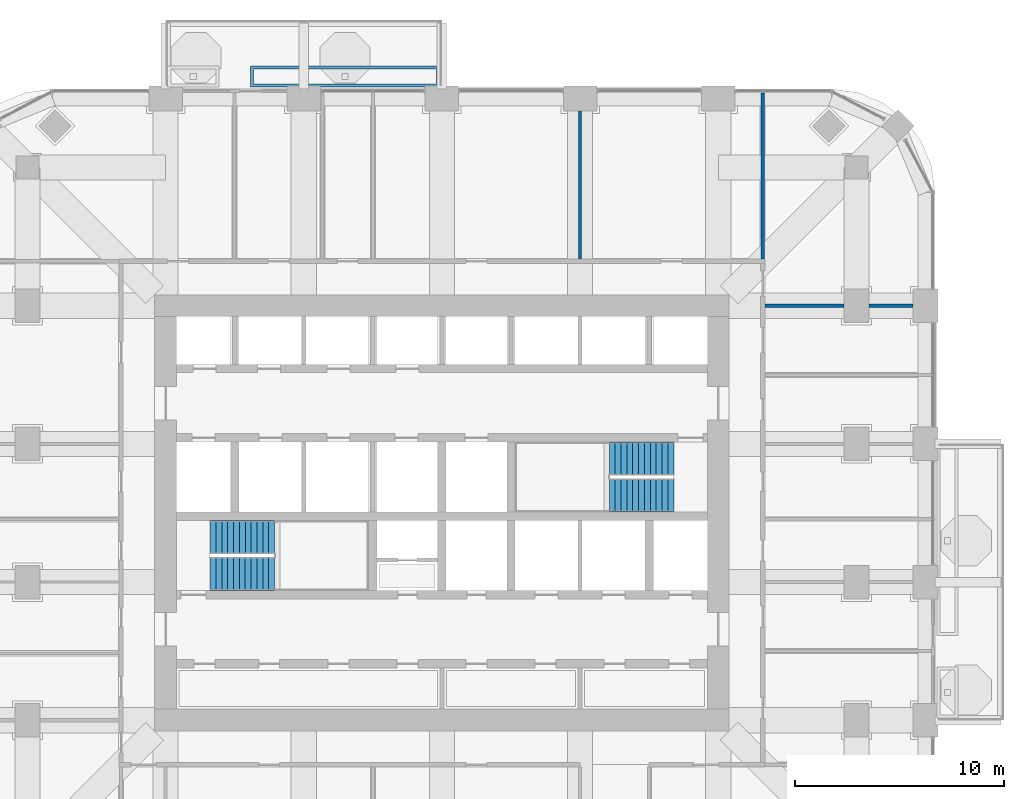
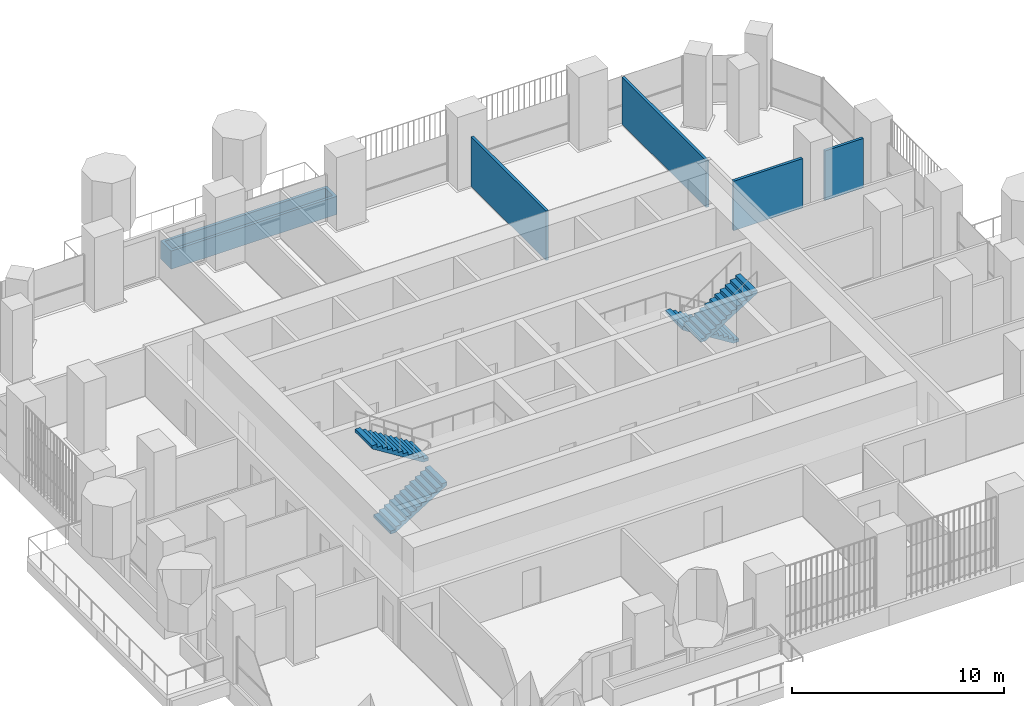
# One storey, part 15 of 20: 5 walls, 4 stair flights, 2 elements without a shape of their own.
"""IFC4 building model written with IfcOpenShell, lengths in metres."""

from ifc_helpers import new_model, si_unit, direction, frame, frame_2d, origin, place, context, subcontext, project, spatial, polyline, rectangle, outline, extrude, material, layer, layer_set, type_object, element, aggregate, save


model = new_model("IFC4")

# Units and contexts
model_context = context("Model", 3, precision=1e-05, world=origin(), true_north=direction((0.0, 1.0)))
body_context = subcontext(model_context, "Body", "Model", "MODEL_VIEW")
ifc_project = project(units=[si_unit("LENGTHUNIT", "METRE"), si_unit("AREAUNIT", "SQUARE_METRE"), si_unit("VOLUMEUNIT", "CUBIC_METRE"), si_unit("PLANEANGLEUNIT", "RADIAN"), si_unit("MASSUNIT", "GRAM", prefix="KILO")], contexts=[model_context])

# Site, building, storey
site_placement = place(None, origin())
site = spatial("IfcSite", under=ifc_project, at=site_placement, CompositionType="ELEMENT")
building_placement = place(site_placement, origin())
building = spatial("IfcBuilding", under=site, at=building_placement, Name="Cobogo Forest Laboratory Tower", CompositionType="ELEMENT")
storey_placement = place(building_placement, frame((0.0, 0.0, 176.699951171875)))
storey = spatial("IfcBuildingStorey", under=building, at=storey_placement, Name="L40", CompositionType="ELEMENT", Elevation=176.699951171875)

# Walls
ifc_material_1 = material(Name="Gypsum board on steel studs", Category="steel")
ifc_layer_1 = layer(ifc_material_1, 0.14990234375)
ifc_layer_set_1 = layer_set([ifc_layer_1], Name="PT1 laboratory partition 150")
wall_type_1 = type_object("IfcWallType", Name="PT1 laboratory partition 150", PredefinedType="PARTITIONING", material=ifc_layer_set_1)
wall_1_placement = place(storey_placement, frame((41.72509765625, 43.169921875, 0.0), z_axis=(0.0, 0.0, 1.0), x_axis=(0.0, -1.0, 0.0)))
element("IfcWall", 1, at=wall_1_placement, inside=storey, type_object=wall_type_1, Name="Partition PW-NE L40", PredefinedType="PARTITIONING", context=body_context, shape_type="SweptSolid", body=[
    extrude(rectangle(XDim=7.94482421875, YDim=0.14990234375, at=frame_2d((3.972412109375, 0.0))), origin(), (0.0, 0.0, 1.0), 2.699951171875),
])
wall_2_placement = place(storey_placement, frame((48.89990234375, 33.0, 0.0), z_axis=(0.0, 0.0, 1.0), x_axis=(-1.0, 0.0, 0.0)))
element("IfcWall", 2, at=wall_2_placement, inside=storey, type_object=wall_type_1, Name="Partition CUT-E33-1 L40", PredefinedType="PARTITIONING", context=body_context, shape_type="SweptSolid", body=[
    extrude(rectangle(XDim=2.099853515625, YDim=0.14990234375, at=frame_2d((1.0498046875, 0.0))), origin(), (0.0, 0.0, 1.0), 2.85009765625),
])
wall_3_placement = place(storey_placement, frame((45.60009765625, 33.0, 0.0), z_axis=(0.0, 0.0, 1.0), x_axis=(-1.0, 0.0, 0.0)))
element("IfcWall", 3, at=wall_3_placement, inside=storey, type_object=wall_type_1, Name="Partition CUT-E33-2 L40", PredefinedType="PARTITIONING", context=body_context, shape_type="SweptSolid", body=[
    extrude(rectangle(XDim=3.775146484375, YDim=0.14990234375, at=frame_2d((1.8876953125, 0.0))), origin(), (0.0, 0.0, 1.0), 2.85009765625),
])
wall_4_placement = place(storey_placement, frame((33.0, 42.300048828125, 0.0), z_axis=(0.0, 0.0, 1.0), x_axis=(0.0, -1.0, 0.0)))
element("IfcWall", 4, at=wall_4_placement, inside=storey, type_object=wall_type_1, Name="Partition CUT-N33-1 L40", PredefinedType="PARTITIONING", context=body_context, shape_type="SweptSolid", body=[
    extrude(rectangle(XDim=7.074951171875, YDim=0.14990234375, at=frame_2d((3.53759765625, 0.0))), origin(), (0.0, 0.0, 1.0), 2.85009765625),
])
ifc_material_2 = material(Name="Concrete HA-40 (C40/50)", Category="concrete")
ifc_layer_2 = layer(ifc_material_2, 0.14990234375)
ifc_layer_set_2 = layer_set([ifc_layer_2], Name="Planter box 1000x1050")
wall_type_2 = type_object("IfcWallType", Name="Planter box 1000x1050", PredefinedType="USERDEFINED", material=ifc_layer_set_2)
wall_5_placement = place(storey_placement, origin())
element("IfcWall", 5, at=wall_5_placement, inside=storey, type_object=wall_type_2, Name="Planter BAL-N1-2 L40", ObjectType="PLANTER", PredefinedType="USERDEFINED", context=body_context, shape_type="SweptSolid", body=[
    extrude(outline(polyline([(17.25, 43.449951171875), (26.300048828125, 43.449951171875), (26.300048828125, 44.449951171875), (17.25, 44.449951171875), (17.25, 43.449951171875)]), holes=[polyline([(17.39990234375, 43.60009765625), (26.14990234375, 43.60009765625), (26.14990234375, 44.300048828125), (17.39990234375, 44.300048828125), (17.39990234375, 43.60009765625)])]), origin(), (0.0, 0.0, 1.0), 1.050048828125),
])

# Stair, stair flights
ifc_material_3 = material(Name="Precast concrete HA-40 (C40/50)", Category="concrete")
stair_type = type_object("IfcStairType", Name="ST24 exit stair 24 risers", PredefinedType="HALF_TURN_STAIR", material=ifc_material_3)
stair_1_placement = place(storey_placement, origin())
stair_1 = element("IfcStair", 6, at=stair_1_placement, inside=storey, type_object=stair_type, Name="Stair 1 L40 to L41", PredefinedType="HALF_TURN_STAIR")
stair_flight_type = type_object("IfcStairFlightType", Name="ST stair flight 280 going", PredefinedType="STRAIGHT", material=ifc_material_3)
stair_flight_1_placement = place(storey_placement, frame((15.324951171875, 20.199951171875, 0.0), z_axis=(0.0, 0.0, 1.0), x_axis=(1.0, 0.0, 0.0)))
stair_flight_1 = element("IfcStairFlight", 7, at=stair_flight_1_placement, type_object=stair_flight_type, Name="ST1 flight 1", NumberOfRisers=12, NumberOfTreads=11, PredefinedType="STRAIGHT", RiserHeight=0.175, TreadLength=0.28, context=body_context, shape_type="SweptSolid", body=[
    extrude(outline(polyline([(0.0, 0.0), (0.0, 0.175048828125), (0.280029296875, 0.175048828125), (0.280029296875, 0.35009765625), (0.56005859375, 0.35009765625), (0.56005859375, 0.52490234375), (0.840087890625, 0.52490234375), (0.840087890625, 0.699951171875), (1.1201171875, 0.699951171875), (1.1201171875, 0.875), (1.39990234375, 0.875), (1.39990234375, 1.050048828125), (1.679931640625, 1.050048828125), (1.679931640625, 1.22509765625), (1.9599609375, 1.22509765625), (1.9599609375, 1.39990234375), (2.239990234375, 1.39990234375), (2.239990234375, 1.574951171875), (2.52001953125, 1.574951171875), (2.52001953125, 1.75), (2.800048828125, 1.75), (2.800048828125, 1.925048828125), (3.080078125, 1.925048828125), (3.080078125, 2.10009765625), (3.080078125, 1.748291015625), (0.28271484375, 0.0), (0.0, 0.0)])), frame((0.0, 0.800048828125, 0.0), z_axis=(0.0, -1.0, 0.0), x_axis=(1.0, 0.0, 0.0)), (0.0, 0.0, 1.0), 1.60009765625),
])
stair_flight_2_placement = place(storey_placement, frame((18.405029296875, 21.949951171875, 2.10009765625), z_axis=(0.0, 0.0, 1.0), x_axis=(-1.0, 0.0, 0.0)))
stair_flight_2 = element("IfcStairFlight", 8, at=stair_flight_2_placement, type_object=stair_flight_type, Name="ST1 flight 2", NumberOfRisers=12, NumberOfTreads=11, PredefinedType="STRAIGHT", RiserHeight=0.175, TreadLength=0.28, context=body_context, shape_type="SweptSolid", body=[
    extrude(outline(polyline([(0.0, 0.0), (0.0, 0.175048828125), (0.280029296875, 0.175048828125), (0.280029296875, 0.35009765625), (0.56005859375, 0.35009765625), (0.56005859375, 0.52490234375), (0.840087890625, 0.52490234375), (0.840087890625, 0.699951171875), (1.1201171875, 0.699951171875), (1.1201171875, 0.875), (1.39990234375, 0.875), (1.39990234375, 1.050048828125), (1.679931640625, 1.050048828125), (1.679931640625, 1.22509765625), (1.9599609375, 1.22509765625), (1.9599609375, 1.39990234375), (2.239990234375, 1.39990234375), (2.239990234375, 1.574951171875), (2.52001953125, 1.574951171875), (2.52001953125, 1.75), (2.800048828125, 1.75), (2.800048828125, 1.925048828125), (3.080078125, 1.925048828125), (3.080078125, 2.10009765625), (3.080078125, 1.748291015625), (0.28271484375, 0.0), (0.0, 0.0)])), frame((0.0, 0.800048828125, 0.0), z_axis=(0.0, -1.0, 0.0), x_axis=(1.0, 0.0, 0.0)), (0.0, 0.0, 1.0), 1.60009765625),
])
aggregate(stair_1, [stair_flight_1, stair_flight_2])

stair_2_placement = place(storey_placement, origin())
stair_2 = element("IfcStair", 9, at=stair_2_placement, inside=storey, type_object=stair_type, Name="Stair 2 L40 to L41", PredefinedType="HALF_TURN_STAIR")
stair_flight_3_placement = place(storey_placement, frame((37.47509765625, 25.699951171875, 0.0), z_axis=(0.0, 0.0, 1.0), x_axis=(-1.0, 0.0, 0.0)))
stair_flight_3 = element("IfcStairFlight", 10, at=stair_flight_3_placement, type_object=stair_flight_type, Name="ST2 flight 1", NumberOfRisers=12, NumberOfTreads=11, PredefinedType="STRAIGHT", RiserHeight=0.175, TreadLength=0.28, context=body_context, shape_type="SweptSolid", body=[
    extrude(outline(polyline([(0.0, 0.0), (0.0, 0.175048828125), (0.280029296875, 0.175048828125), (0.280029296875, 0.35009765625), (0.56005859375, 0.35009765625), (0.56005859375, 0.52490234375), (0.840087890625, 0.52490234375), (0.840087890625, 0.699951171875), (1.1201171875, 0.699951171875), (1.1201171875, 0.875), (1.39990234375, 0.875), (1.39990234375, 1.050048828125), (1.679931640625, 1.050048828125), (1.679931640625, 1.22509765625), (1.9599609375, 1.22509765625), (1.9599609375, 1.39990234375), (2.239990234375, 1.39990234375), (2.239990234375, 1.574951171875), (2.52001953125, 1.574951171875), (2.52001953125, 1.75), (2.800048828125, 1.75), (2.800048828125, 1.925048828125), (3.080078125, 1.925048828125), (3.080078125, 2.10009765625), (3.080078125, 1.748291015625), (0.28271484375, 0.0), (0.0, 0.0)])), frame((0.0, 0.800048828125, 0.0), z_axis=(0.0, -1.0, 0.0), x_axis=(1.0, 0.0, 0.0)), (0.0, 0.0, 1.0), 1.60009765625),
])
stair_flight_4_placement = place(storey_placement, frame((34.39501953125, 23.949951171875, 2.10009765625), z_axis=(0.0, 0.0, 1.0), x_axis=(1.0, 0.0, 0.0)))
stair_flight_4 = element("IfcStairFlight", 11, at=stair_flight_4_placement, type_object=stair_flight_type, Name="ST2 flight 2", NumberOfRisers=12, NumberOfTreads=11, PredefinedType="STRAIGHT", RiserHeight=0.175, TreadLength=0.28, context=body_context, shape_type="SweptSolid", body=[
    extrude(outline(polyline([(0.0, 0.0), (0.0, 0.175048828125), (0.280029296875, 0.175048828125), (0.280029296875, 0.35009765625), (0.56005859375, 0.35009765625), (0.56005859375, 0.52490234375), (0.840087890625, 0.52490234375), (0.840087890625, 0.699951171875), (1.1201171875, 0.699951171875), (1.1201171875, 0.875), (1.39990234375, 0.875), (1.39990234375, 1.050048828125), (1.679931640625, 1.050048828125), (1.679931640625, 1.22509765625), (1.9599609375, 1.22509765625), (1.9599609375, 1.39990234375), (2.239990234375, 1.39990234375), (2.239990234375, 1.574951171875), (2.52001953125, 1.574951171875), (2.52001953125, 1.75), (2.800048828125, 1.75), (2.800048828125, 1.925048828125), (3.080078125, 1.925048828125), (3.080078125, 2.10009765625), (3.080078125, 1.748291015625), (0.28271484375, 0.0), (0.0, 0.0)])), frame((0.0, 0.800048828125, 0.0), z_axis=(0.0, -1.0, 0.0), x_axis=(1.0, 0.0, 0.0)), (0.0, 0.0, 1.0), 1.60009765625),
])
aggregate(stair_2, [stair_flight_3, stair_flight_4])

save(model, "model.ifc")
